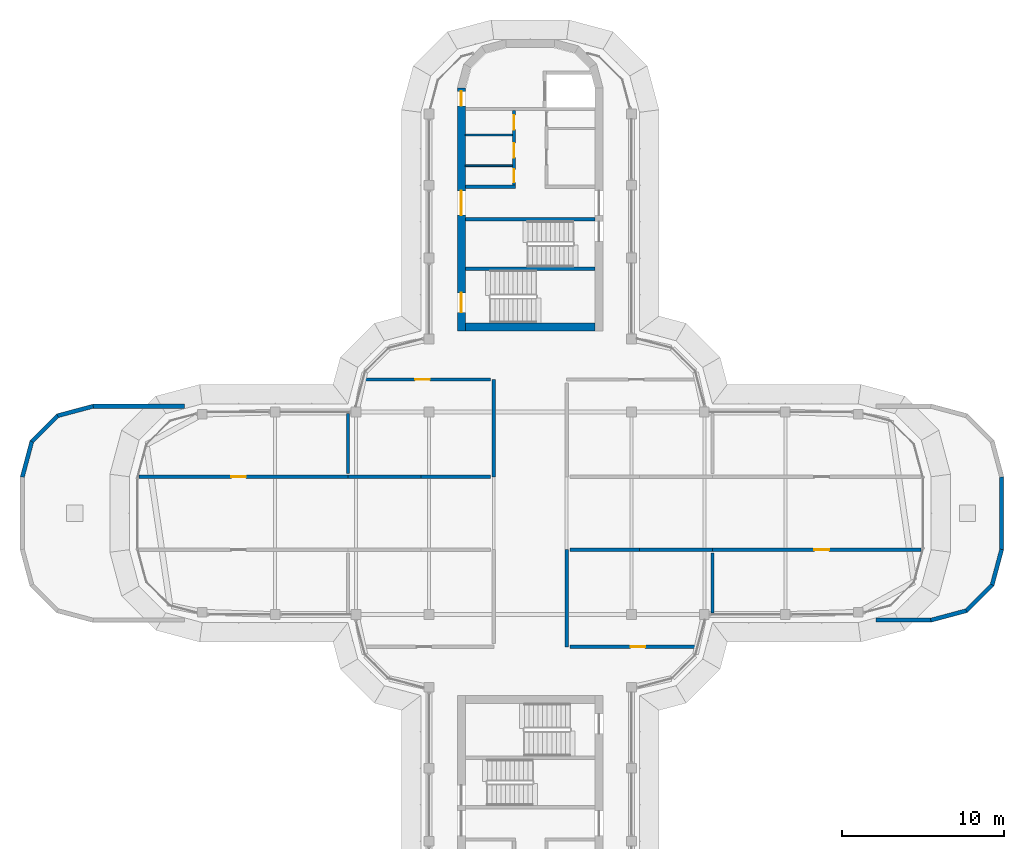
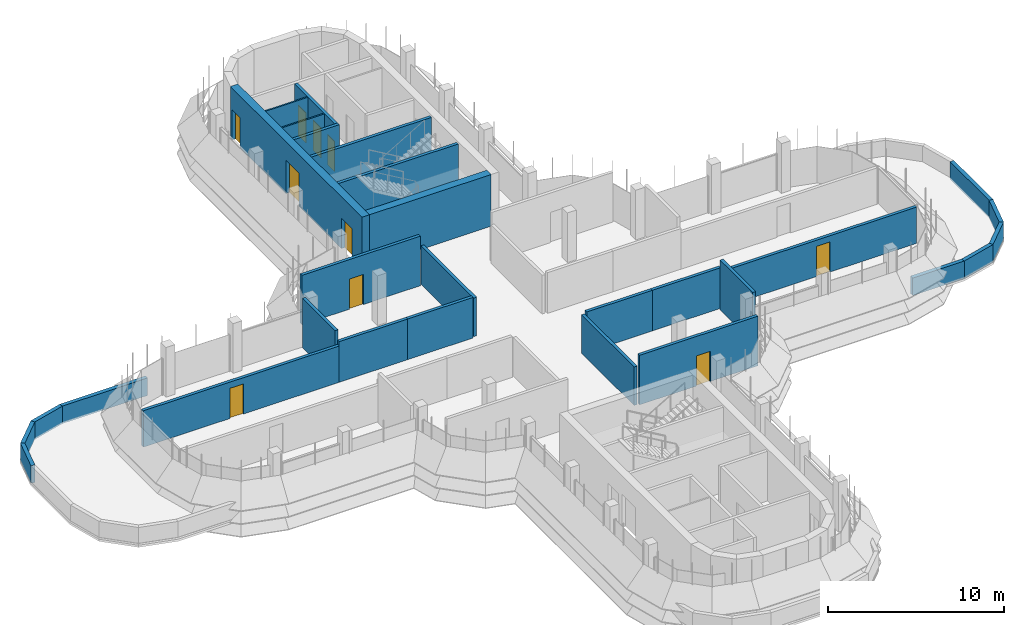
# One storey, part 14 of 20: 29 walls, 10 doors, 10 openings.
"""IFC4 building model written with IfcOpenShell, lengths in metres."""

from ifc_helpers import new_model, si_unit, direction, frame, frame_2d, origin, place, context, subcontext, project, spatial, polyline, rectangle, outline, extrude, material, layer, layer_set, type_object, element, fill, save


model = new_model("IFC4")

# Units and contexts
model_context = context("Model", 3, precision=1e-05, world=origin(), true_north=direction((0.0, 1.0)))
body_context = subcontext(model_context, "Body", "Model", "MODEL_VIEW")
ifc_project = project(units=[si_unit("LENGTHUNIT", "METRE"), si_unit("AREAUNIT", "SQUARE_METRE"), si_unit("VOLUMEUNIT", "CUBIC_METRE"), si_unit("PLANEANGLEUNIT", "RADIAN"), si_unit("MASSUNIT", "GRAM", prefix="KILO")], contexts=[model_context])

# Site, building, storey
site_placement = place(None, origin())
site = spatial("IfcSite", under=ifc_project, at=site_placement, CompositionType="ELEMENT")
building_placement = place(site_placement, origin())
building = spatial("IfcBuilding", under=site, at=building_placement, Name="Zarbagh Exchange Tower", CompositionType="ELEMENT")
storey_placement = place(building_placement, frame((0.0, 0.0, 291.60009765625)))
storey = spatial("IfcBuildingStorey", under=building, at=storey_placement, Name="L71", CompositionType="ELEMENT", Elevation=291.60009765625)

# Walls
ifc_material_1 = material(Name="Dense blockwork", Category="masonry")
ifc_layer_1 = layer(ifc_material_1, 0.10009765625)
ifc_layer_set_1 = layer_set([ifc_layer_1], Name="Core partition 100 mm blockwork")
wall_type_1 = type_object("IfcWallType", Name="Core partition 100 mm blockwork", PredefinedType="PARTITIONING", material=ifc_layer_set_1)
for number, where, z_axis, x_axis, name in (
    (1, (-4.0, 23.35009765625, 0.0), (0.0, 0.0, 1.0), (1.0, 0.0, 0.0), "North core partition wall CUT-W-500"),
    (2, (-4.0, 21.449951171875, 0.0), (0.0, 0.0, 1.0), (1.0, 0.0, 0.0), "North core partition wall CUT-W-690"),
):
    element("IfcWall", number, at=place(storey_placement, frame(where, z_axis=z_axis, x_axis=x_axis)), inside=storey, type_object=wall_type_1, Name=name, PredefinedType="PARTITIONING", context=body_context, shape_type="SweptSolid", body=[
        extrude(rectangle(XDim=2.89990234375, YDim=0.10009765625, at=frame_2d((1.449951171875, 0.0))), origin(), (0.0, 0.0, 1.0), 3.449951171875),
    ])
ifc_material_2 = material(Name="Concrete block partition", Category="concrete")
ifc_layer_2 = layer(ifc_material_2, 0.199951171875)
ifc_layer_set_2 = layer_set([ifc_layer_2], Name="Fire-rated block partition 200 EI 60")
wall_type_2 = type_object("IfcWallType", Name="Fire-rated block partition 200 EI 60", PredefinedType="PARTITIONING", material=ifc_layer_set_2)
wall_1_placement = place(storey_placement, frame((2.25, -2.25, 0.0), z_axis=(0.0, 0.0, 1.0), x_axis=(0.0, -1.0, 0.0)))
element("IfcWall", 3, at=wall_1_placement, inside=storey, type_object=wall_type_2, Name="WL-L71-W003", PredefinedType="PARTITIONING", context=body_context, shape_type="SweptSolid", body=[
    extrude(rectangle(XDim=6.0, YDim=0.199951171875, at=frame_2d((3.0, 0.0))), origin(), (0.0, 0.0, 1.0), 2.6806640625),
])

# Wall, opening, door
wall_2_placement = place(storey_placement, frame((2.449951171875, -8.25, 0.0), z_axis=(0.0, 0.0, 1.0), x_axis=(1.0, 0.0, 0.0)))
wall_2 = element("IfcWall", 4, at=wall_2_placement, inside=storey, type_object=wall_type_2, Name="WL-L71-W004", PredefinedType="PARTITIONING", context=body_context, shape_type="SweptSolid", body=[
    extrude(rectangle(XDim=7.7880859375, YDim=0.199951171875, at=frame_2d((3.89404296875, 0.0))), origin(), (0.0, 0.0, 1.0), 3.449951171875),
])
opening_1_placement = place(wall_2_placement, frame((3.7490234375, 0.0, 0.0)))
opening_1 = element("IfcOpeningElement", 5, at=opening_1_placement, cuts=wall_2, Name="Opening D02", PredefinedType="OPENING", context=body_context, shape_type="SweptSolid", body=[
    extrude(rectangle(XDim=0.89990234375, YDim=2.10009765625, at=frame_2d((0.449951171875, 1.050048828125))), frame((0.0, 0.10986328125, 0.0), z_axis=(0.0, -1.0, 0.0), x_axis=(1.0, 0.0, 0.0)), (0.0, 0.0, 1.0), 0.219970703125),
])
ifc_material_3 = material(Name="Steel door set", Category="steel")
door_type_1 = type_object("IfcDoorType", Name="Door single 900x2100 EI 60", OperationType="SINGLE_SWING_LEFT", PredefinedType="DOOR", material=ifc_material_3)
door_1_placement = place(opening_1_placement, origin())
door_1 = element("IfcDoor", 6, at=door_1_placement, inside=storey, type_object=door_type_1, Name="D02", OperationType="SINGLE_SWING_LEFT", OverallHeight=2.10009765625, OverallWidth=0.89990234375, PredefinedType="DOOR", context=body_context, shape_type="SweptSolid", body=[
    extrude(rectangle(XDim=0.89990234375, YDim=2.10009765625, at=frame_2d((0.449951171875, 1.050048828125))), frame((0.0, 0.02490234375, 0.0), z_axis=(0.0, -1.0, 0.0), x_axis=(1.0, 0.0, 0.0)), (0.0, 0.0, 1.0), 0.050048828125),
])
fill(opening_1, door_1)

# Wall
wall_3_placement = place(storey_placement, frame((-2.25, 2.25, 0.0), z_axis=(0.0, 0.0, 1.0), x_axis=(0.0, 1.0, 0.0)))
element("IfcWall", 7, at=wall_3_placement, inside=storey, type_object=wall_type_2, Name="WL-L71-W005", PredefinedType="PARTITIONING", context=body_context, shape_type="SweptSolid", body=[
    extrude(rectangle(XDim=6.0, YDim=0.199951171875, at=frame_2d((3.0, 0.0))), origin(), (0.0, 0.0, 1.0), 2.6806640625),
])

# Wall, opening, door
wall_4_placement = place(storey_placement, frame((-2.449951171875, 8.25, 0.0), z_axis=(0.0, 0.0, 1.0), x_axis=(-1.0, 0.0, 0.0)))
wall_4 = element("IfcWall", 8, at=wall_4_placement, inside=storey, type_object=wall_type_2, Name="WL-L71-W006", PredefinedType="PARTITIONING", context=body_context, shape_type="SweptSolid", body=[
    extrude(rectangle(XDim=7.7880859375, YDim=0.199951171875, at=frame_2d((3.89404296875, 0.0))), origin(), (0.0, 0.0, 1.0), 3.449951171875),
])
opening_2_placement = place(wall_4_placement, frame((3.7490234375, 0.0, 0.0)))
opening_2 = element("IfcOpeningElement", 9, at=opening_2_placement, cuts=wall_4, Name="Opening D03", PredefinedType="OPENING", context=body_context, shape_type="SweptSolid", body=[
    extrude(rectangle(XDim=0.89990234375, YDim=2.10009765625, at=frame_2d((0.449951171875, 1.050048828125))), frame((0.0, 0.10986328125, 0.0), z_axis=(0.0, -1.0, 0.0), x_axis=(1.0, 0.0, 0.0)), (0.0, 0.0, 1.0), 0.219970703125),
])
door_2_placement = place(opening_2_placement, origin())
door_2 = element("IfcDoor", 10, at=door_2_placement, inside=storey, type_object=door_type_1, Name="D03", OperationType="SINGLE_SWING_LEFT", OverallHeight=2.10009765625, OverallWidth=0.89990234375, PredefinedType="DOOR", context=body_context, shape_type="SweptSolid", body=[
    extrude(rectangle(XDim=0.89990234375, YDim=2.10009765625, at=frame_2d((0.449951171875, 1.050048828125))), frame((0.0, 0.02490234375, 0.0), z_axis=(0.0, -1.0, 0.0), x_axis=(1.0, 0.0, 0.0)), (0.0, 0.0, 1.0), 0.050048828125),
])
fill(opening_2, door_2)

# Walls
wall_5_placement = place(storey_placement, frame((6.75, -2.25, 0.0), z_axis=(0.0, 0.0, 1.0), x_axis=(1.0, 0.0, 0.0)))
element("IfcWall", 11, at=wall_5_placement, inside=storey, type_object=wall_type_2, Name="WL-L71-W012", PredefinedType="PARTITIONING", context=body_context, shape_type="SweptSolid", body=[
    extrude(rectangle(XDim=4.5, YDim=0.199951171875, at=frame_2d((2.25, 0.0))), origin(), (0.0, 0.0, 1.0), 2.827880859375),
])
wall_6_placement = place(storey_placement, frame((11.25, -2.449951171875, 0.0), z_axis=(0.0, 0.0, 1.0), x_axis=(0.0, -1.0, 0.0)))
element("IfcWall", 12, at=wall_6_placement, inside=storey, type_object=wall_type_2, Name="WL-L71-W013", PredefinedType="PARTITIONING", context=body_context, shape_type="SweptSolid", body=[
    extrude(rectangle(XDim=3.719970703125, YDim=0.199951171875, at=frame_2d((1.85986328125, 0.0))), origin(), (0.0, 0.0, 1.0), 3.449951171875),
])
wall_7_placement = place(storey_placement, frame((2.449951171875, -2.25, 0.0), z_axis=(0.0, 0.0, 1.0), x_axis=(1.0, 0.0, 0.0)))
element("IfcWall", 13, at=wall_7_placement, inside=storey, type_object=wall_type_2, Name="WL-L71-W014", PredefinedType="PARTITIONING", context=body_context, shape_type="SweptSolid", body=[
    extrude(rectangle(XDim=4.300048828125, YDim=0.199951171875, at=frame_2d((2.14990234375, 0.0))), origin(), (0.0, 0.0, 1.0), 2.827880859375),
])
wall_8_placement = place(storey_placement, frame((-6.75, 2.25, 0.0), z_axis=(0.0, 0.0, 1.0), x_axis=(-1.0, 0.0, 0.0)))
element("IfcWall", 14, at=wall_8_placement, inside=storey, type_object=wall_type_2, Name="WL-L71-W015", PredefinedType="PARTITIONING", context=body_context, shape_type="SweptSolid", body=[
    extrude(rectangle(XDim=4.5, YDim=0.199951171875, at=frame_2d((2.25, 0.0))), origin(), (0.0, 0.0, 1.0), 2.827880859375),
])
wall_9_placement = place(storey_placement, frame((-11.25, 2.449951171875, 0.0), z_axis=(0.0, 0.0, 1.0), x_axis=(0.0, 1.0, 0.0)))
element("IfcWall", 15, at=wall_9_placement, inside=storey, type_object=wall_type_2, Name="WL-L71-W016", PredefinedType="PARTITIONING", context=body_context, shape_type="SweptSolid", body=[
    extrude(rectangle(XDim=3.719970703125, YDim=0.199951171875, at=frame_2d((1.85986328125, 0.0))), origin(), (0.0, 0.0, 1.0), 3.449951171875),
])
wall_10_placement = place(storey_placement, frame((-2.449951171875, 2.25, 0.0), z_axis=(0.0, 0.0, 1.0), x_axis=(-1.0, 0.0, 0.0)))
element("IfcWall", 16, at=wall_10_placement, inside=storey, type_object=wall_type_2, Name="WL-L71-W017", PredefinedType="PARTITIONING", context=body_context, shape_type="SweptSolid", body=[
    extrude(rectangle(XDim=4.300048828125, YDim=0.199951171875, at=frame_2d((2.14990234375, 0.0))), origin(), (0.0, 0.0, 1.0), 2.827880859375),
])

# Wall, opening, door
wall_11_placement = place(storey_placement, frame((24.139892578125, -2.25, 0.0), z_axis=(0.0, 0.0, 1.0), x_axis=(-1.0, 0.0, 0.0)))
wall_11 = element("IfcWall", 17, at=wall_11_placement, inside=storey, type_object=wall_type_2, Name="WL-L71-W022", PredefinedType="PARTITIONING", context=body_context, shape_type="SweptSolid", body=[
    extrude(rectangle(XDim=12.889892578125, YDim=0.199951171875, at=frame_2d((6.44482421875, 0.0))), origin(), (0.0, 0.0, 1.0), 2.52978515625),
])
opening_3_placement = place(wall_11_placement, frame((5.68994140625, 0.0, 0.0)))
opening_3 = element("IfcOpeningElement", 18, at=opening_3_placement, cuts=wall_11, Name="Opening D06", PredefinedType="OPENING", context=body_context, shape_type="SweptSolid", body=[
    extrude(rectangle(XDim=0.89990234375, YDim=2.10009765625, at=frame_2d((0.449951171875, 1.050048828125))), frame((0.0, 0.10986328125, 0.0), z_axis=(0.0, -1.0, 0.0), x_axis=(1.0, 0.0, 0.0)), (0.0, 0.0, 1.0), 0.219970703125),
])
door_3_placement = place(opening_3_placement, origin())
door_3 = element("IfcDoor", 19, at=door_3_placement, inside=storey, type_object=door_type_1, Name="D06", OperationType="SINGLE_SWING_LEFT", OverallHeight=2.10009765625, OverallWidth=0.89990234375, PredefinedType="DOOR", context=body_context, shape_type="SweptSolid", body=[
    extrude(rectangle(XDim=0.89990234375, YDim=2.10009765625, at=frame_2d((0.449951171875, 1.050048828125))), frame((0.0, 0.02490234375, 0.0), z_axis=(0.0, -1.0, 0.0), x_axis=(1.0, 0.0, 0.0)), (0.0, 0.0, 1.0), 0.050048828125),
])
fill(opening_3, door_3)

wall_12_placement = place(storey_placement, frame((-24.139892578125, 2.25, 0.0), z_axis=(0.0, 0.0, 1.0), x_axis=(1.0, 0.0, 0.0)))
wall_12 = element("IfcWall", 20, at=wall_12_placement, inside=storey, type_object=wall_type_2, Name="WL-L71-W023", PredefinedType="PARTITIONING", context=body_context, shape_type="SweptSolid", body=[
    extrude(rectangle(XDim=12.889892578125, YDim=0.199951171875, at=frame_2d((6.44482421875, 0.0))), origin(), (0.0, 0.0, 1.0), 2.52978515625),
])
opening_4_placement = place(wall_12_placement, frame((5.68994140625, 0.0, 0.0)))
opening_4 = element("IfcOpeningElement", 21, at=opening_4_placement, cuts=wall_12, Name="Opening D46", PredefinedType="OPENING", context=body_context, shape_type="SweptSolid", body=[
    extrude(rectangle(XDim=0.89990234375, YDim=2.10009765625, at=frame_2d((0.449951171875, 1.050048828125))), frame((0.0, 0.10986328125, 0.0), z_axis=(0.0, -1.0, 0.0), x_axis=(1.0, 0.0, 0.0)), (0.0, 0.0, 1.0), 0.219970703125),
])
door_4_placement = place(opening_4_placement, origin())
door_4 = element("IfcDoor", 22, at=door_4_placement, inside=storey, type_object=door_type_1, Name="D07", OperationType="SINGLE_SWING_LEFT", OverallHeight=2.10009765625, OverallWidth=0.89990234375, PredefinedType="DOOR", context=body_context, shape_type="SweptSolid", body=[
    extrude(rectangle(XDim=0.89990234375, YDim=2.10009765625, at=frame_2d((0.449951171875, 1.050048828125))), frame((0.0, 0.02490234375, 0.0), z_axis=(0.0, -1.0, 0.0), x_axis=(1.0, 0.0, 0.0)), (0.0, 0.0, 1.0), 0.050048828125),
])
fill(opening_4, door_4)

# Walls
ifc_material_4 = material(Name="Concrete C40/50", Category="concrete")
ifc_layer_3 = layer(ifc_material_4, 0.25)
ifc_layer_set_3 = layer_set([ifc_layer_3], Name="Parapet wall, concrete C40/50")
wall_type_3 = type_object("IfcWallType", Name="Parapet wall, concrete C40/50", PredefinedType="PARAPET", material=ifc_layer_set_3)
wall_13_placement = place(storey_placement, origin())
element("IfcWall", 23, at=wall_13_placement, inside=storey, type_object=wall_type_3, Name="roof parapet", PredefinedType="PARAPET", context=body_context, shape_type="SweptSolid", body=[
    extrude(outline(polyline([(-31.47998046875, 2.247314453125), (-30.879150390625, 4.489501953125), (-30.655029296875, 4.360107421875), (-31.22998046875, 2.214599609375), (-31.47998046875, 2.247314453125)])), origin(), (0.0, 0.0, 1.0), 1.219970703125),
])
wall_14_placement = place(storey_placement, origin())
element("IfcWall", 24, at=wall_14_placement, inside=storey, type_object=wall_type_3, Name="roof parapet", PredefinedType="PARAPET", context=body_context, shape_type="SweptSolid", body=[
    extrude(outline(polyline([(-30.879150390625, 4.489501953125), (-29.239501953125, 6.129150390625), (-29.110107421875, 5.905029296875), (-30.655029296875, 4.360107421875), (-30.879150390625, 4.489501953125)])), origin(), (0.0, 0.0, 1.0), 1.219970703125),
])
wall_15_placement = place(storey_placement, origin())
element("IfcWall", 25, at=wall_15_placement, inside=storey, type_object=wall_type_3, Name="roof parapet", PredefinedType="PARAPET", context=body_context, shape_type="SweptSolid", body=[
    extrude(outline(polyline([(-29.239501953125, 6.129150390625), (-26.997314453125, 6.72998046875), (-26.964599609375, 6.47998046875), (-29.110107421875, 5.905029296875), (-29.239501953125, 6.129150390625)])), origin(), (0.0, 0.0, 1.0), 1.219970703125),
])
wall_16_placement = place(storey_placement, origin())
element("IfcWall", 26, at=wall_16_placement, inside=storey, type_object=wall_type_3, Name="roof parapet", PredefinedType="PARAPET", context=body_context, shape_type="SweptSolid", body=[
    extrude(outline(polyline([(-26.997314453125, 6.72998046875), (-21.351318359375, 6.72998046875), (-21.351318359375, 6.47998046875), (-26.964599609375, 6.47998046875), (-26.997314453125, 6.72998046875)])), origin(), (0.0, 0.0, 1.0), 1.219970703125),
])
wall_17_placement = place(storey_placement, origin())
element("IfcWall", 27, at=wall_17_placement, inside=storey, type_object=wall_type_3, Name="roof parapet", PredefinedType="PARAPET", context=body_context, shape_type="SweptSolid", body=[
    extrude(outline(polyline([(29.22998046875, 2.247314453125), (29.22998046875, -2.247314453125), (28.97998046875, -2.214599609375), (28.97998046875, 2.214599609375), (29.22998046875, 2.247314453125)])), origin(), (0.0, 0.0, 1.0), 1.219970703125),
])
wall_18_placement = place(storey_placement, origin())
element("IfcWall", 28, at=wall_18_placement, inside=storey, type_object=wall_type_3, Name="roof parapet", PredefinedType="PARAPET", context=body_context, shape_type="SweptSolid", body=[
    extrude(outline(polyline([(29.22998046875, -2.247314453125), (28.629150390625, -4.489501953125), (28.405029296875, -4.360107421875), (28.97998046875, -2.214599609375), (29.22998046875, -2.247314453125)])), origin(), (0.0, 0.0, 1.0), 1.219970703125),
])
wall_19_placement = place(storey_placement, origin())
element("IfcWall", 29, at=wall_19_placement, inside=storey, type_object=wall_type_3, Name="roof parapet", PredefinedType="PARAPET", context=body_context, shape_type="SweptSolid", body=[
    extrude(outline(polyline([(28.629150390625, -4.489501953125), (26.989501953125, -6.129150390625), (26.860107421875, -5.905029296875), (28.405029296875, -4.360107421875), (28.629150390625, -4.489501953125)])), origin(), (0.0, 0.0, 1.0), 1.219970703125),
])
wall_20_placement = place(storey_placement, origin())
element("IfcWall", 30, at=wall_20_placement, inside=storey, type_object=wall_type_3, Name="roof parapet", PredefinedType="PARAPET", context=body_context, shape_type="SweptSolid", body=[
    extrude(outline(polyline([(26.989501953125, -6.129150390625), (24.747314453125, -6.72998046875), (24.714599609375, -6.47998046875), (26.860107421875, -5.905029296875), (26.989501953125, -6.129150390625)])), origin(), (0.0, 0.0, 1.0), 1.219970703125),
])
wall_21_placement = place(storey_placement, origin())
element("IfcWall", 31, at=wall_21_placement, inside=storey, type_object=wall_type_3, Name="roof parapet", PredefinedType="PARAPET", context=body_context, shape_type="SweptSolid", body=[
    extrude(outline(polyline([(24.747314453125, -6.72998046875), (21.351318359375, -6.72998046875), (21.351318359375, -6.47998046875), (24.714599609375, -6.47998046875), (24.747314453125, -6.72998046875)])), origin(), (0.0, 0.0, 1.0), 1.219970703125),
])

# Wall, openings, doors
ifc_layer_4 = layer(ifc_material_4, 0.5)
ifc_layer_set_4 = layer_set([ifc_layer_4], Name="RC core wall 500 C40/50")
wall_type_4 = type_object("IfcWallType", Name="RC core wall 500 C40/50", PredefinedType="SHEAR", material=ifc_layer_set_4)
wall_22_placement = place(storey_placement, frame((-4.25, 11.25, 0.0), z_axis=(0.0, 0.0, 1.0), x_axis=(0.0, 1.0, 0.0)))
wall_22 = element("IfcWall", 32, at=wall_22_placement, inside=storey, type_object=wall_type_4, Name="CW9 core N W", PredefinedType="SHEAR", context=body_context, shape_type="SweptSolid", body=[
    extrude(rectangle(XDim=15.0, YDim=0.5, at=frame_2d((7.5, 0.0))), origin(), (0.0, 0.0, 1.0), 3.599853515625),
])
opening_5_placement = place(wall_22_placement, frame((7.14990234375, 0.0, 0.0)))
opening_5 = element("IfcOpeningElement", 33, at=opening_5_placement, cuts=wall_22, Name="Opening CD1-1500", PredefinedType="OPENING", context=body_context, shape_type="SweptSolid", body=[
    extrude(rectangle(XDim=1.5, YDim=2.300048828125, at=frame_2d((0.75, 1.14990234375))), frame((0.0, 0.260009765625, 0.0), z_axis=(0.0, -1.0, 0.0), x_axis=(1.0, 0.0, 0.0)), (0.0, 0.0, 1.0), 0.52001953125),
])
opening_6_placement = place(wall_22_placement, frame((13.89990234375, 0.0, 0.0)))
opening_6 = element("IfcOpeningElement", 34, at=opening_6_placement, cuts=wall_22, Name="Opening CD2-900", PredefinedType="OPENING", context=body_context, shape_type="SweptSolid", body=[
    extrude(rectangle(XDim=0.89990234375, YDim=2.10009765625, at=frame_2d((0.449951171875, 1.050048828125))), frame((0.0, 0.260009765625, 0.0), z_axis=(0.0, -1.0, 0.0), x_axis=(1.0, 0.0, 0.0)), (0.0, 0.0, 1.0), 0.52001953125),
])
opening_7_placement = place(wall_22_placement, frame((1.14990234375, 0.0, 0.0)))
opening_7 = element("IfcOpeningElement", 35, at=opening_7_placement, cuts=wall_22, Name="Opening SD1-1200", PredefinedType="OPENING", context=body_context, shape_type="SweptSolid", body=[
    extrude(rectangle(XDim=1.199951171875, YDim=2.10009765625, at=frame_2d((0.60009765625, 1.050048828125))), frame((0.0, 0.260009765625, 0.0), z_axis=(0.0, -1.0, 0.0), x_axis=(1.0, 0.0, 0.0)), (0.0, 0.0, 1.0), 0.52001953125),
])
ifc_material_5 = material(Name="Steel", Category="steel")
door_type_2 = type_object("IfcDoorType", Name="Exit stair door 1200 x 2100", OperationType="NOTDEFINED", PredefinedType="DOOR", material=ifc_material_5)
door_5_placement = place(opening_7_placement, origin())
door_5 = element("IfcDoor", 36, at=door_5_placement, inside=storey, type_object=door_type_2, Name="North core stair door ST2", OperationType="SINGLE_SWING_LEFT", OverallHeight=2.10009765625, OverallWidth=1.199951171875, PredefinedType="DOOR", context=body_context, shape_type="SweptSolid", body=[
    extrude(rectangle(XDim=1.199951171875, YDim=2.10009765625, at=frame_2d((0.60009765625, 1.050048828125))), frame((0.0, 0.02490234375, 0.0), z_axis=(0.0, -1.0, 0.0), x_axis=(1.0, 0.0, 0.0)), (0.0, 0.0, 1.0), 0.050048828125),
])
fill(opening_7, door_5)
door_type_3 = type_object("IfcDoorType", Name="Firefighting lobby door 900 x 2100", OperationType="NOTDEFINED", PredefinedType="DOOR", material=ifc_material_5)
door_6_placement = place(opening_6_placement, origin())
door_6 = element("IfcDoor", 37, at=door_6_placement, inside=storey, type_object=door_type_3, Name="North core firefighting lobby door FF-W", OperationType="SINGLE_SWING_LEFT", OverallHeight=2.10009765625, OverallWidth=0.89990234375, PredefinedType="DOOR", context=body_context, shape_type="SweptSolid", body=[
    extrude(rectangle(XDim=0.89990234375, YDim=2.10009765625, at=frame_2d((0.449951171875, 1.050048828125))), frame((0.0, 0.02490234375, 0.0), z_axis=(0.0, -1.0, 0.0), x_axis=(1.0, 0.0, 0.0)), (0.0, 0.0, 1.0), 0.050048828125),
])
fill(opening_6, door_6)
door_type_4 = type_object("IfcDoorType", Name="Lift lobby double door 1500 x 2300", OperationType="NOTDEFINED", PredefinedType="DOOR", material=ifc_material_5)
door_7_placement = place(opening_5_placement, origin())
door_7 = element("IfcDoor", 38, at=door_7_placement, inside=storey, type_object=door_type_4, Name="North core lift lobby door LOBBY-W", OperationType="DOUBLE_DOOR_SINGLE_SWING", OverallHeight=2.300048828125, OverallWidth=1.5, PredefinedType="DOOR", context=body_context, shape_type="SweptSolid", body=[
    extrude(rectangle(XDim=1.5, YDim=2.300048828125, at=frame_2d((0.75, 1.14990234375))), frame((0.0, 0.02490234375, 0.0), z_axis=(0.0, -1.0, 0.0), x_axis=(1.0, 0.0, 0.0)), (0.0, 0.0, 1.0), 0.050048828125),
])
fill(opening_5, door_7)

# Walls
wall_23_placement = place(storey_placement, frame((-4.0, 11.5, 0.0), z_axis=(0.0, 0.0, 1.0), x_axis=(1.0, 0.0, 0.0)))
element("IfcWall", 39, at=wall_23_placement, inside=storey, type_object=wall_type_4, Name="CW9 core N inner end", PredefinedType="SHEAR", context=body_context, shape_type="SweptSolid", body=[
    extrude(rectangle(XDim=8.0, YDim=0.5, at=frame_2d((4.0, 0.0))), origin(), (0.0, 0.0, 1.0), 3.599853515625),
])
ifc_layer_5 = layer(ifc_material_1, 0.199951171875)
ifc_layer_set_5 = layer_set([ifc_layer_5], Name="Shaft wall 200 mm blockwork")
wall_type_5 = type_object("IfcWallType", Name="Shaft wall 200 mm blockwork", PredefinedType="PARTITIONING", material=ifc_layer_set_5)
wall_24_placement = place(storey_placement, frame((-4.0, 20.14990234375, 0.0), z_axis=(0.0, 0.0, 1.0), x_axis=(1.0, 0.0, 0.0)))
element("IfcWall", 40, at=wall_24_placement, inside=storey, type_object=wall_type_5, Name="North core shaft wall AB-W", PredefinedType="PARTITIONING", context=body_context, shape_type="SweptSolid", body=[
    extrude(rectangle(XDim=3.10009765625, YDim=0.199951171875, at=frame_2d((1.550048828125, 0.0))), origin(), (0.0, 0.0, 1.0), 3.449951171875),
])

# Wall, openings, doors
wall_25_placement = place(storey_placement, frame((-1.0, 24.85009765625, 0.0), z_axis=(0.0, 0.0, 1.0), x_axis=(0.0, -1.0, 0.0)))
wall_25 = element("IfcWall", 41, at=wall_25_placement, inside=storey, type_object=wall_type_5, Name="North core shaft wall LW-W", PredefinedType="PARTITIONING", context=body_context, shape_type="SweptSolid", body=[
    extrude(rectangle(XDim=4.60009765625, YDim=0.199951171875, at=frame_2d((2.300048828125, 0.0))), origin(), (0.0, 0.0, 1.0), 3.449951171875),
])
opening_8_placement = place(wall_25_placement, frame((0.27490234375, 0.0, 0.0)))
opening_8 = element("IfcOpeningElement", 42, at=opening_8_placement, cuts=wall_25, Name="Opening CD3-900", PredefinedType="OPENING", context=body_context, shape_type="SweptSolid", body=[
    extrude(rectangle(XDim=0.89990234375, YDim=2.10009765625, at=frame_2d((0.449951171875, 1.050048828125))), frame((0.0, 0.10986328125, 0.0), z_axis=(0.0, -1.0, 0.0), x_axis=(1.0, 0.0, 0.0)), (0.0, 0.0, 1.0), 0.219970703125),
])
opening_9_placement = place(wall_25_placement, frame((2.0, 0.0, 0.0)))
opening_9 = element("IfcOpeningElement", 43, at=opening_9_placement, cuts=wall_25, Name="Opening CD3-900", PredefinedType="OPENING", context=body_context, shape_type="SweptSolid", body=[
    extrude(rectangle(XDim=0.89990234375, YDim=2.10009765625, at=frame_2d((0.449951171875, 1.050048828125))), frame((0.0, 0.10986328125, 0.0), z_axis=(0.0, -1.0, 0.0), x_axis=(1.0, 0.0, 0.0)), (0.0, 0.0, 1.0), 0.219970703125),
])
opening_10_placement = place(wall_25_placement, frame((3.625, 0.0, 0.0)))
opening_10 = element("IfcOpeningElement", 44, at=opening_10_placement, cuts=wall_25, Name="Opening CD3-800", PredefinedType="OPENING", context=body_context, shape_type="SweptSolid", body=[
    extrude(rectangle(XDim=0.800048828125, YDim=2.10009765625, at=frame_2d((0.39990234375, 1.050048828125))), frame((0.0, 0.10986328125, 0.0), z_axis=(0.0, -1.0, 0.0), x_axis=(1.0, 0.0, 0.0)), (0.0, 0.0, 1.0), 0.219970703125),
])
door_type_5 = type_object("IfcDoorType", Name="Core room door 800 x 2100", OperationType="NOTDEFINED", PredefinedType="DOOR", material=ifc_material_5)
door_8_placement = place(opening_10_placement, origin())
door_8 = element("IfcDoor", 45, at=door_8_placement, inside=storey, type_object=door_type_5, Name="North core Control room door RD-W-2", OperationType="SINGLE_SWING_LEFT", OverallHeight=2.10009765625, OverallWidth=0.800048828125, PredefinedType="DOOR", context=body_context, shape_type="SweptSolid", body=[
    extrude(rectangle(XDim=0.800048828125, YDim=2.10009765625, at=frame_2d((0.39990234375, 1.050048828125))), frame((0.0, 0.02490234375, 0.0), z_axis=(0.0, -1.0, 0.0), x_axis=(1.0, 0.0, 0.0)), (0.0, 0.0, 1.0), 0.050048828125),
])
fill(opening_10, door_8)
door_type_6 = type_object("IfcDoorType", Name="Core room door 900 x 2100", OperationType="NOTDEFINED", PredefinedType="DOOR", material=ifc_material_5)
door_9_placement = place(opening_8_placement, origin())
door_9 = element("IfcDoor", 46, at=door_9_placement, inside=storey, type_object=door_type_6, Name="North core Mechanical store door RD-W-0", OperationType="SINGLE_SWING_LEFT", OverallHeight=2.10009765625, OverallWidth=0.89990234375, PredefinedType="DOOR", context=body_context, shape_type="SweptSolid", body=[
    extrude(rectangle(XDim=0.89990234375, YDim=2.10009765625, at=frame_2d((0.449951171875, 1.050048828125))), frame((0.0, 0.02490234375, 0.0), z_axis=(0.0, -1.0, 0.0), x_axis=(1.0, 0.0, 0.0)), (0.0, 0.0, 1.0), 0.050048828125),
])
fill(opening_8, door_9)
door_10_placement = place(opening_9_placement, origin())
door_10 = element("IfcDoor", 47, at=door_10_placement, inside=storey, type_object=door_type_6, Name="North core Plant room door RD-W-1", OperationType="SINGLE_SWING_LEFT", OverallHeight=2.10009765625, OverallWidth=0.89990234375, PredefinedType="DOOR", context=body_context, shape_type="SweptSolid", body=[
    extrude(rectangle(XDim=0.89990234375, YDim=2.10009765625, at=frame_2d((0.449951171875, 1.050048828125))), frame((0.0, 0.02490234375, 0.0), z_axis=(0.0, -1.0, 0.0), x_axis=(1.0, 0.0, 0.0)), (0.0, 0.0, 1.0), 0.050048828125),
])
fill(opening_9, door_10)

# Walls
ifc_layer_6 = layer(ifc_material_4, 0.199951171875)
ifc_layer_set_6 = layer_set([ifc_layer_6], Name="Stair enclosure wall 200 mm RC C40/50")
wall_type_6 = type_object("IfcWallType", Name="Stair enclosure wall 200 mm RC C40/50", PredefinedType="SHEAR", material=ifc_layer_set_6)
for number, where, z_axis, x_axis, name in (
    (48, (-4.0, 18.14990234375, 0.0), (0.0, 0.0, 1.0), (1.0, 0.0, 0.0), "North core stair wall BS"),
    (49, (-4.0, 15.10009765625, 0.0), (0.0, 0.0, 1.0), (1.0, 0.0, 0.0), "North core stair wall ST12"),
):
    element("IfcWall", number, at=place(storey_placement, frame(where, z_axis=z_axis, x_axis=x_axis)), inside=storey, type_object=wall_type_6, Name=name, PredefinedType="SHEAR", context=body_context, shape_type="SweptSolid", body=[
        extrude(rectangle(XDim=8.0, YDim=0.199951171875, at=frame_2d((4.0, 0.0))), origin(), (0.0, 0.0, 1.0), 3.449951171875),
    ])

save(model, "model.ifc")
